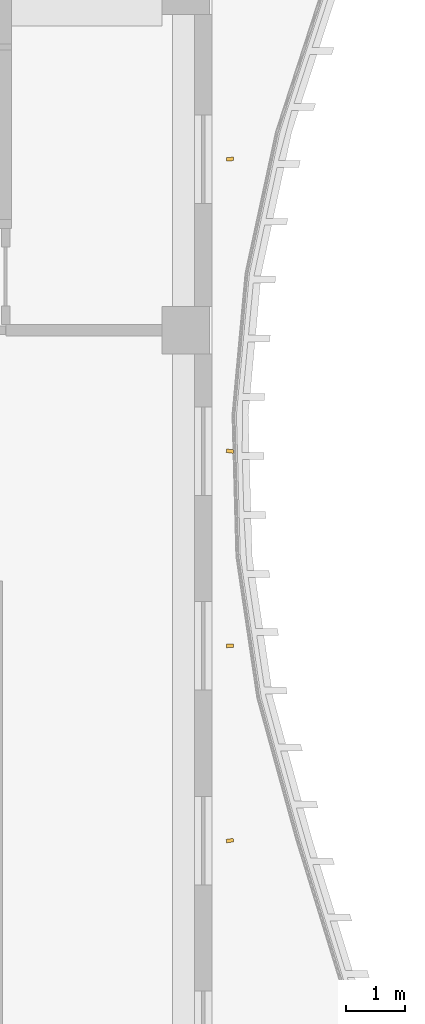
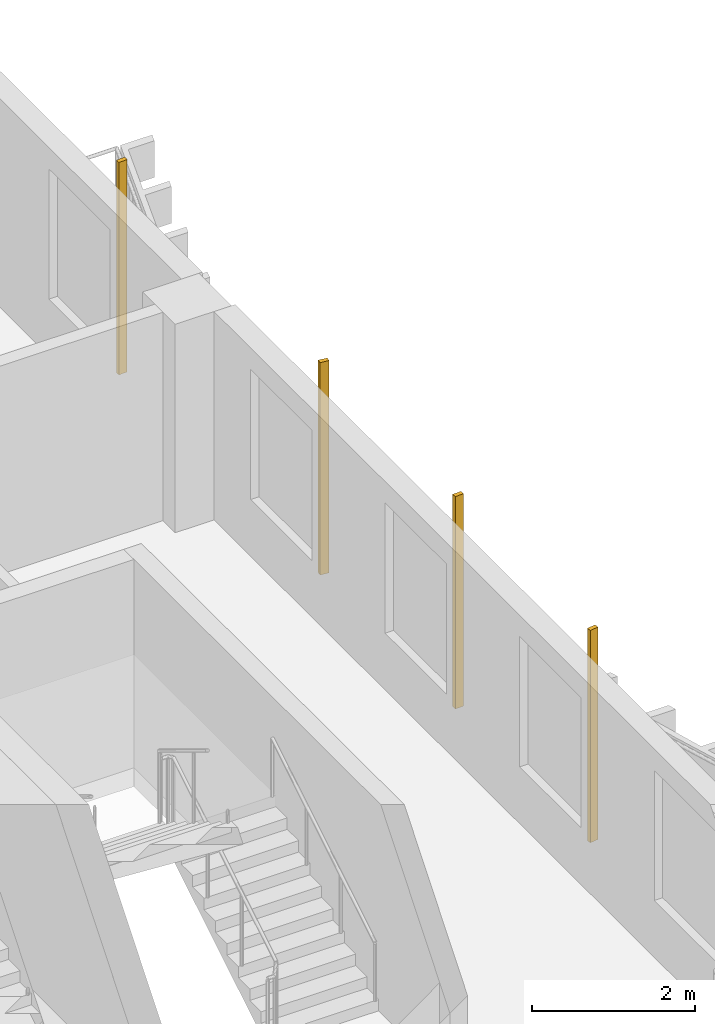
# One storey, part 22 of 22: 4 shading devices.
"""IFC4 building model written with IfcOpenShell, lengths in metres."""

from ifc_helpers import new_model, si_unit, direction, frame, origin, origin_2d, place, context, subcontext, project, spatial, rectangle, extrude, source, transform, mapped, material, material_profile, profile_set, type_object, element, save


model = new_model("IFC4")

# Units and contexts
model_context = context("Model", 3, precision=1e-05, world=origin(), true_north=direction((0.0, 1.0)))
body_context = subcontext(model_context, "Body", "Model", "MODEL_VIEW")
ifc_project = project(units=[si_unit("LENGTHUNIT", "METRE"), si_unit("AREAUNIT", "SQUARE_METRE"), si_unit("VOLUMEUNIT", "CUBIC_METRE"), si_unit("PLANEANGLEUNIT", "RADIAN"), si_unit("MASSUNIT", "GRAM", prefix="KILO")], contexts=[model_context])

# Site, building, storey
site_placement = place(None, origin())
site = spatial("IfcSite", under=ifc_project, at=site_placement, CompositionType="ELEMENT")
building_placement = place(site_placement, origin())
building = spatial("IfcBuilding", under=site, at=building_placement, Name="Kilnfold Tower and Market Hall", CompositionType="ELEMENT")
storey_placement = place(building_placement, frame((0.0, 0.0, 154.10009765625)))
storey = spatial("IfcBuildingStorey", under=building, at=storey_placement, Name="L35", CompositionType="ELEMENT", Elevation=154.10009765625)

# Shading devices
ifc_material = material(Name="Terracotta", Category="masonry")
ifc_material_profile = material_profile(ifc_material, rectangle(XDim=0.06005859375, YDim=0.1201171875, at=origin_2d()), Name="BAG 60x120")
ifc_profile_set = profile_set([ifc_material_profile], Name="Terracotta")
shading_device_type = type_object("IfcShadingDeviceType", Name="BAGUETTE", PredefinedType="USERDEFINED", material=ifc_profile_set)
shared_shape = source(origin(), body_context, "Body", "SweptSolid", [
    extrude(rectangle(XDim=0.06005859375, YDim=0.1201171875, at=origin_2d()), origin(), (0.0, 0.0, 1.0), 3.179931640625),
])
for number, where, z_axis, x_axis, name in (
    (1, (25.550048828125, 13.35009765625, 0.0), (0.0, 0.0, 1.0), (-0.137601861931, 0.990487621121, 0.0), "Terracotta baguette L35 E"),
    (2, (25.550048828125, 16.64990234375, 0.0), (0.0, 0.0, 1.0), (-0.033273795294, 0.999446273967, 0.0), "Terracotta baguette L35 E"),
    (3, (25.550048828125, 19.949951171875, 0.0), (0.0, 0.0, 1.0), (0.131688929444, 0.991291090378, 0.0), "Terracotta baguette L35 E"),
    (4, (25.550048828125, 24.89990234375, 0.0), (0.0, 0.0, 1.0), (-0.043950681897, 0.999033701914, 0.0), "Terracotta baguette L35 E"),
):
    element("IfcShadingDevice", number, at=place(storey_placement, frame(where, z_axis=z_axis, x_axis=x_axis)), inside=storey, type_object=shading_device_type, Name=name, ObjectType="BAGUETTE", PredefinedType="USERDEFINED", context=body_context, shape_type="MappedRepresentation", body=[
        mapped(shared_shape, transform((0.0, 0.0, 0.0))),
    ])

save(model, "model.ifc")
